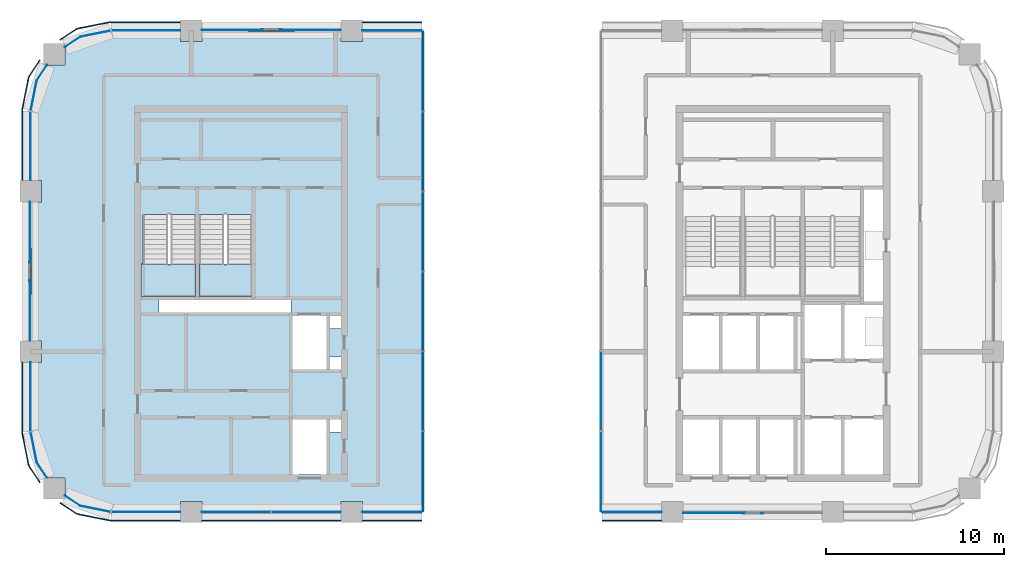
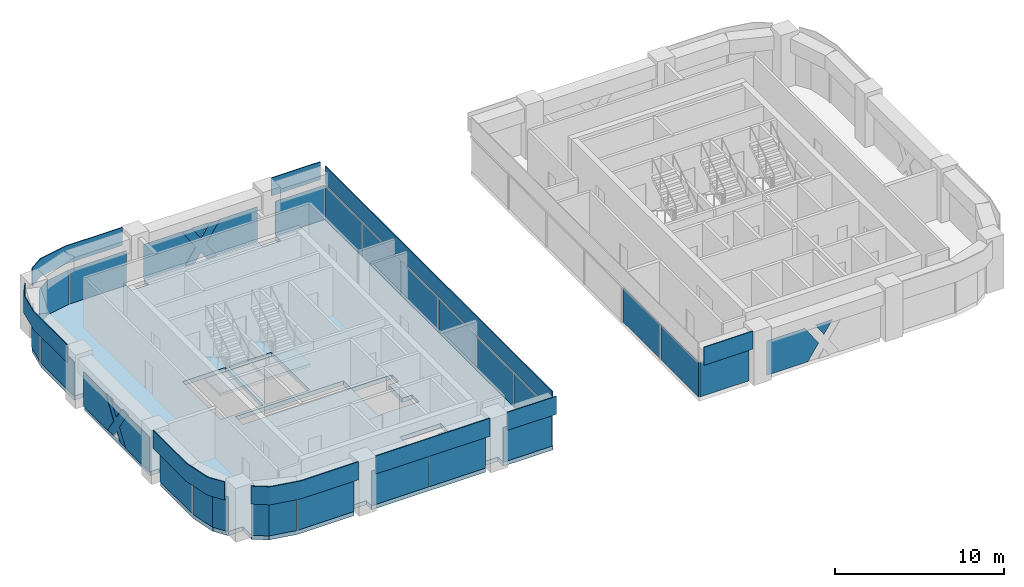
# One storey, part 4 of 16: 40 plates, 3 slabs, 15 elements without a shape of their own.
"""IFC4 building model written with IfcOpenShell, lengths in metres."""

import ifcopenshell
import ifcopenshell.guid

model = None  # the IFC model being written
_history = None  # IfcOwnerHistory: only IFC2X3 demands one
_inside = {}  # id of a spatial element -> (the spatial element, [elements in it])
_under = {}  # id of a project, library or spatial element -> (it, [spatial elements below it])
_declared = {}  # id of a project -> (the project, [libraries it declares])
_typed = {}  # id of a type object -> (the type object, [elements of that type])
_made_of = {}  # id of a material, layer set ... -> (it, [elements and type objects made of it])


def new_model(schema):
    """Start an empty IFC model of exactly this schema.

    Asked for "IFC4X3", IfcOpenShell would pick the latest addendum, in which some entities
    have other attributes; the version numbers below select the first issue.
    IFC2X3 requires an IfcOwnerHistory on every rooted entity: one is made here for all.
    """
    global model, _history
    if schema == "IFC4X3":
        model = ifcopenshell.file(schema_version=(4, 3, 0, 0))
    else:
        model = ifcopenshell.file(schema=schema)
    _inside.clear()
    _under.clear()
    _declared.clear()
    _typed.clear()
    _made_of.clear()
    _history = None
    if model.schema == "IFC2X3":
        org = make("IfcOrganization", Name="unknown")
        user = make(
            "IfcPersonAndOrganization",
            ThePerson=make("IfcPerson", FamilyName="unknown"),
            TheOrganization=org,
        )
        app = make(
            "IfcApplication",
            ApplicationDeveloper=org,
            Version="unknown",
            ApplicationFullName="unknown",
            ApplicationIdentifier="unknown",
        )
        _history = make(
            "IfcOwnerHistory",
            OwningUser=user,
            OwningApplication=app,
            ChangeAction="ADDED",
            CreationDate=0,
        )
    return model


def make(cls, **values):
    """One entity of the class cls with the attributes given. An attribute that is None is left unset."""
    return model.create_entity(
        cls, **{name: value for name, value in values.items() if value is not None}
    )


def rooted(cls, **values):
    """An entity with a GlobalId (a new one), such as an element, a storey or a relation."""
    return make(cls, GlobalId=ifcopenshell.guid.new(), OwnerHistory=_history, **values)


def si_unit(unit_type, name, prefix=None):
    """IfcSIUnit, for example si_unit("LENGTHUNIT", "METRE", prefix="MILLI")."""
    return make("IfcSIUnit", UnitType=unit_type, Prefix=prefix, Name=name)


def assignment(units):
    """IfcUnitAssignment: the units of a project."""
    return None if units is None else make("IfcUnitAssignment", Units=units)


def point(xyz):
    """IfcCartesianPoint."""
    return None if xyz is None else make("IfcCartesianPoint", Coordinates=xyz)


def direction(xyz):
    """IfcDirection."""
    return None if xyz is None else make("IfcDirection", DirectionRatios=xyz)


def frame(location, z_axis=None, x_axis=None):
    """IfcAxis2Placement3D, a coordinate frame: its origin and axes. An axis left out is left unset."""
    return make(
        "IfcAxis2Placement3D",
        Location=point(location),
        Axis=direction(z_axis),
        RefDirection=direction(x_axis),
    )


def frame_2d(location, x_axis=None):
    """IfcAxis2Placement2D, a coordinate frame in the plane: its origin and x axis."""
    return make(
        "IfcAxis2Placement2D", Location=point(location), RefDirection=direction(x_axis)
    )


def origin():
    """The frame at (0, 0, 0) with its axes left unset."""
    return frame((0.0, 0.0, 0.0))


def origin_2d():
    """The frame at (0, 0) in the plane with its x axis left unset."""
    return frame_2d((0.0, 0.0))


def place(relative_to, where):
    """IfcLocalPlacement: puts the frame where relative to a parent placement (None: the world)."""
    return make(
        "IfcLocalPlacement", PlacementRelTo=relative_to, RelativePlacement=where
    )


def context(
    kind, dimensions, precision=None, world=None, true_north=None, identifier=None
):
    """IfcGeometricRepresentationContext, for example the 3D "Model" context."""
    return make(
        "IfcGeometricRepresentationContext",
        ContextIdentifier=identifier,
        ContextType=kind,
        CoordinateSpaceDimension=dimensions,
        Precision=precision,
        WorldCoordinateSystem=world,
        TrueNorth=true_north,
    )


def subcontext(parent, identifier, kind, view, scale=None):
    """IfcGeometricRepresentationSubContext, for example "Body" below "Model"."""
    return make(
        "IfcGeometricRepresentationSubContext",
        ContextIdentifier=identifier,
        ContextType=kind,
        ParentContext=parent,
        TargetScale=scale,
        TargetView=view,
    )


def project(units=None, contexts=None):
    """IfcProject with its units and contexts."""
    return rooted(
        "IfcProject",
        Name="project",
        RepresentationContexts=contexts,
        UnitsInContext=assignment(units),
    )


def spatial(cls, under=None, at=None, **own):
    """A site, building, storey or space (cls), placed at a placement, below another one or the project."""
    s = rooted(cls, ObjectPlacement=at, **own)
    if under is not None:
        _under.setdefault(under.id(), (under, []))[1].append(s)
    return s


def polyline(points):
    """IfcPolyline through the points."""
    return make("IfcPolyline", Points=[point(p) for p in points])


def profile(cls, at=None, kind="AREA", **sizes):
    """A parametric profile (cls). Its sizes go by their IFC names, for example OverallWidth=200.0."""
    return make(cls, ProfileType=kind, Position=at, **sizes)


def rectangle(**sizes):
    """IfcRectangleProfileDef."""
    return profile("IfcRectangleProfileDef", **sizes)


def outline(outer, holes=None, kind="AREA"):
    """IfcArbitraryClosedProfileDef: a profile drawn as a closed curve; with holes, ...WithVoids."""
    if holes is None:
        return make("IfcArbitraryClosedProfileDef", ProfileType=kind, OuterCurve=outer)
    return make(
        "IfcArbitraryProfileDefWithVoids",
        ProfileType=kind,
        OuterCurve=outer,
        InnerCurves=holes,
    )


def extrude(swept, where, along, depth):
    """IfcExtrudedAreaSolid: the profile swept, set in the frame where, extruded along a direction by depth."""
    return make(
        "IfcExtrudedAreaSolid",
        SweptArea=swept,
        Position=where,
        ExtrudedDirection=direction(along),
        Depth=depth,
    )


def shape(context_of_items, identifier, shape_type, items):
    """IfcShapeRepresentation: the items that make up one representation, for example the "Body"."""
    return make(
        "IfcShapeRepresentation",
        ContextOfItems=context_of_items,
        RepresentationIdentifier=identifier,
        RepresentationType=shape_type,
        Items=items,
    )


def material(Name=None, Category=None):
    """IfcMaterial."""
    return make("IfcMaterial", Name=Name, Category=Category)


def layer(
    of_material, thickness, ventilated=None, Name=None, Category=None, Priority=None
):
    """IfcMaterialLayer: one layer of a wall or slab, of a material (None: an air gap)."""
    return make(
        "IfcMaterialLayer",
        Material=of_material,
        LayerThickness=thickness,
        IsVentilated=ventilated,
        Name=Name,
        Category=Category,
        Priority=Priority,
    )


def layer_set(layers, Name=None):
    """IfcMaterialLayerSet."""
    return make("IfcMaterialLayerSet", MaterialLayers=layers, LayerSetName=Name)


def made_of(thing, what):
    """Note that an element or type object is made of a material, layer set ...; save() writes the relation."""
    if what is not None:
        _made_of.setdefault(what.id(), (what, []))[1].append(thing)
    return thing


def type_object(cls, material=None, **own):
    """A type object (cls), such as IfcWallType, which elements share."""
    return made_of(rooted(cls, **own), material)


def element(
    cls,
    number,
    at=None,
    inside=None,
    cuts=None,
    type_object=None,
    material=None,
    context=None,
    identifier="Body",
    shape_type=None,
    held_by="IfcProductDefinitionShape",
    body=None,
    shapes=None,
    **own,
):
    """One element of the class cls, such as IfcWall. Its Tag is "e" and its number.

    at: its placement. inside: the storey or other place that contains it. cuts: it is an
    opening in that element (IfcRelVoidsElement). A single representation is given by context,
    identifier, shape_type and body (its items); several are given by shapes. held_by: the class
    of the entity that holds the representations. save() writes the other relations.
    """
    e = rooted(cls, Tag="e%d" % number, ObjectPlacement=at, **own)
    if body is not None:
        shapes = [shape(context, identifier, shape_type, body)]
    if shapes is not None:
        e.Representation = make(held_by, Representations=shapes)
    if inside is not None:
        _inside.setdefault(inside.id(), (inside, []))[1].append(e)
    if cuts is not None:
        rooted(
            "IfcRelVoidsElement", RelatingBuildingElement=cuts, RelatedOpeningElement=e
        )
    if type_object is not None:
        _typed.setdefault(type_object.id(), (type_object, []))[1].append(e)
    return made_of(e, material)


def aggregate(whole, parts):
    """IfcRelAggregates: a whole, such as a stair, and the parts it consists of."""
    return rooted("IfcRelAggregates", RelatingObject=whole, RelatedObjects=parts)


def save(model, path):
    """Write the relations noted so far, then the file.

    IfcRelAggregates (storeys below a building ...), IfcRelContainedInSpatialStructure (elements
    in a storey), IfcRelDefinesByType, IfcRelAssociatesMaterial and IfcRelDeclares: one each for
    every whole, place, type object, material and project.
    """
    for whole, parts in _under.values():
        aggregate(whole, parts)
    for where, things in _inside.values():
        rooted(
            "IfcRelContainedInSpatialStructure",
            RelatedElements=things,
            RelatingStructure=where,
        )
    for kind, things in _typed.values():
        rooted("IfcRelDefinesByType", RelatedObjects=things, RelatingType=kind)
    for what, things in _made_of.values():
        rooted("IfcRelAssociatesMaterial", RelatedObjects=things, RelatingMaterial=what)
    for by, libraries in _declared.values():
        rooted("IfcRelDeclares", RelatingContext=by, RelatedDefinitions=libraries)
    model.write(path)


model = new_model("IFC4")

# Units and contexts
model_context = context("Model", 3, precision=1e-05, world=origin(), true_north=direction((0.0, 1.0)))
body_context = subcontext(model_context, "Body", "Model", "MODEL_VIEW")
ifc_project = project(units=[si_unit("LENGTHUNIT", "METRE"), si_unit("AREAUNIT", "SQUARE_METRE"), si_unit("VOLUMEUNIT", "CUBIC_METRE"), si_unit("PLANEANGLEUNIT", "RADIAN"), si_unit("MASSUNIT", "GRAM", prefix="KILO")], contexts=[model_context])

# Site, building, storey
site_placement = place(None, origin())
site = spatial("IfcSite", under=ifc_project, at=site_placement, CompositionType="ELEMENT")
building_placement = place(site_placement, origin())
building = spatial("IfcBuilding", under=site, at=building_placement, Name="Tessera Arch", CompositionType="ELEMENT")
storey_placement = place(building_placement, frame((0.0, 0.0, 218.89990234375)))
storey = spatial("IfcBuildingStorey", under=building, at=storey_placement, Name="L52", CompositionType="ELEMENT", Elevation=218.89990234375)

# Curtain wall, plates
ifc_material_1 = material(Name="CW1 curtain wall")
curtain_wall_type_1 = type_object("IfcCurtainWallType", Name="CW1 curtain wall", PredefinedType="NOTDEFINED", material=ifc_material_1)
curtain_wall_1_placement = place(storey_placement, origin())
curtain_wall_1 = element("IfcCurtainWall", 1, at=curtain_wall_1_placement, inside=storey, type_object=curtain_wall_type_1, Name="CW1 curtain wall S27.0/0 L52", PredefinedType="NOTDEFINED")
ifc_material_2 = material(Name="Clear low-e glass", Category="glass")
ifc_material_3 = material(Name="Clear low-e glass", Category="glass")
ifc_layer_1 = layer(ifc_material_3, 0.028076171875)
ifc_layer_set_1 = layer_set([ifc_layer_1], Name="CW1 glass panel")
plate_type_1 = type_object("IfcPlateType", Name="CW1 glass panel", PredefinedType="CURTAIN_PANEL", material=ifc_layer_set_1)
plate_1_placement = place(storey_placement, frame((11.534912109375, 27.0, 0.0), z_axis=(0.0, 0.0, 1.0), x_axis=(1.0, 0.0, 0.0)))
plate_1 = element("IfcPlate", 2, at=plate_1_placement, type_object=plate_type_1, material=ifc_material_2, Name="CW1 glass panel S27.0/0 1.1.1", PredefinedType="CURTAIN_PANEL", context=body_context, shape_type="SweptSolid", body=[
    extrude(rectangle(XDim=3.8701171875, YDim=0.028076171875, at=origin_2d()), origin(), (0.0, 0.0, 1.0), 2.5),
])
plate_2_placement = place(storey_placement, frame((15.465087890625, 27.0, 0.0), z_axis=(0.0, 0.0, 1.0), x_axis=(1.0, 0.0, 0.0)))
plate_2 = element("IfcPlate", 3, at=plate_2_placement, type_object=plate_type_1, material=ifc_material_2, Name="CW1 glass panel S27.0/0 1.2.1", PredefinedType="CURTAIN_PANEL", context=body_context, shape_type="SweptSolid", body=[
    extrude(rectangle(XDim=3.8701171875, YDim=0.028076171875, at=origin_2d()), origin(), (0.0, 0.0, 1.0), 2.5),
])

# Curtain wall, plate
curtain_wall_2_placement = place(storey_placement, origin())
curtain_wall_2 = element("IfcCurtainWall", 4, at=curtain_wall_2_placement, inside=storey, type_object=curtain_wall_type_1, Name="CW1 curtain wall S27.0/1 L52", PredefinedType="NOTDEFINED")
plate_3_placement = place(storey_placement, frame((20.27490234375, 27.0, 0.0), z_axis=(0.0, 0.0, 1.0), x_axis=(1.0, 0.0, 0.0)))
plate_3 = element("IfcPlate", 5, at=plate_3_placement, type_object=plate_type_1, material=ifc_material_2, Name="CW1 glass panel S27.0/1 1.1.1", PredefinedType="CURTAIN_PANEL", context=body_context, shape_type="SweptSolid", body=[
    extrude(rectangle(XDim=3.35009765625, YDim=0.028076171875, at=origin_2d()), origin(), (0.0, 0.0, 1.0), 2.5),
])

curtain_wall_3_placement = place(storey_placement, origin())
curtain_wall_3 = element("IfcCurtainWall", 6, at=curtain_wall_3_placement, inside=storey, type_object=curtain_wall_type_1, Name="CW1 curtain wall N54.0/0 L52", PredefinedType="NOTDEFINED")
plate_4_placement = place(storey_placement, frame((20.27490234375, 54.0, 0.0), z_axis=(0.0, 0.0, 1.0), x_axis=(-1.0, 0.0, 0.0)))
plate_4 = element("IfcPlate", 7, at=plate_4_placement, type_object=plate_type_1, material=ifc_material_2, Name="CW1 glass panel N54.0/0 1.1.1", PredefinedType="CURTAIN_PANEL", context=body_context, shape_type="SweptSolid", body=[
    extrude(rectangle(XDim=3.35009765625, YDim=0.028076171875, at=origin_2d()), origin(), (0.0, 0.0, 1.0), 2.5),
])

curtain_wall_4_placement = place(storey_placement, origin())
curtain_wall_4 = element("IfcCurtainWall", 8, at=curtain_wall_4_placement, inside=storey, type_object=curtain_wall_type_1, Name="CW1 curtain wall S27.32/0 L52", PredefinedType="NOTDEFINED")
plate_5_placement = place(storey_placement, frame((33.72509765625, 27.0, 0.0), z_axis=(0.0, 0.0, 1.0), x_axis=(1.0, 0.0, 0.0)))
plate_5 = element("IfcPlate", 9, at=plate_5_placement, type_object=plate_type_1, material=ifc_material_2, Name="CW1 glass panel S27.32/0 1.1.1", PredefinedType="CURTAIN_PANEL", context=body_context, shape_type="SweptSolid", body=[
    extrude(rectangle(XDim=3.35009765625, YDim=0.028076171875, at=origin_2d()), origin(), (0.0, 0.0, 1.0), 2.5),
])

# Plate
ifc_material_4 = material(Name="Pale anodised aluminium panel", Category="aluminium")
ifc_layer_2 = layer(ifc_material_4, 0.06005859375)
ifc_layer_set_2 = layer_set([ifc_layer_2], Name="CW1 spandrel panel")
plate_type_2 = type_object("IfcPlateType", Name="CW1 spandrel panel", PredefinedType="CURTAIN_PANEL", material=ifc_layer_set_2)
plate_6_placement = place(storey_placement, frame((13.5, 26.52001953125, 2.60009765625), z_axis=(0.0, 0.0, 1.0), x_axis=(1.0, 0.0, 0.0)))
plate_6 = element("IfcPlate", 10, at=plate_6_placement, type_object=plate_type_2, Name="CW1 spandrel panel S27.0/0", PredefinedType="CURTAIN_PANEL", context=body_context, shape_type="SweptSolid", body=[
    extrude(rectangle(XDim=7.800048828125, YDim=0.06005859375, at=origin_2d()), origin(), (0.0, 0.0, 1.0), 1.300048828125),
])

aggregate(curtain_wall_1, [plate_1, plate_2, plate_6])

plate_7_placement = place(storey_placement, frame((20.27490234375, 26.52001953125, 2.60009765625), z_axis=(0.0, 0.0, 1.0), x_axis=(1.0, 0.0, 0.0)))
plate_7 = element("IfcPlate", 11, at=plate_7_placement, type_object=plate_type_2, Name="CW1 spandrel panel S27.0/1", PredefinedType="CURTAIN_PANEL", context=body_context, shape_type="SweptSolid", body=[
    extrude(rectangle(XDim=3.35009765625, YDim=0.06005859375, at=origin_2d()), origin(), (0.0, 0.0, 1.0), 1.300048828125),
])

aggregate(curtain_wall_2, [plate_3, plate_7])

plate_8_placement = place(storey_placement, frame((20.27490234375, 54.47998046875, 2.60009765625), z_axis=(0.0, 0.0, 1.0), x_axis=(-1.0, 0.0, 0.0)))
plate_8 = element("IfcPlate", 12, at=plate_8_placement, type_object=plate_type_2, Name="CW1 spandrel panel N54.0/0", PredefinedType="CURTAIN_PANEL", context=body_context, shape_type="SweptSolid", body=[
    extrude(rectangle(XDim=3.35009765625, YDim=0.06005859375, at=origin_2d()), origin(), (0.0, 0.0, 1.0), 1.300048828125),
])

aggregate(curtain_wall_3, [plate_4, plate_8])

plate_9_placement = place(storey_placement, frame((33.72509765625, 26.52001953125, 2.60009765625), z_axis=(0.0, 0.0, 1.0), x_axis=(1.0, 0.0, 0.0)))
plate_9 = element("IfcPlate", 13, at=plate_9_placement, type_object=plate_type_2, Name="CW1 spandrel panel S27.32/0", PredefinedType="CURTAIN_PANEL", context=body_context, shape_type="SweptSolid", body=[
    extrude(rectangle(XDim=3.35009765625, YDim=0.06005859375, at=origin_2d()), origin(), (0.0, 0.0, 1.0), 1.300048828125),
])

aggregate(curtain_wall_4, [plate_5, plate_9])

# Curtain wall, plates
ifc_material_5 = material(Name="CW2 curtain wall")
curtain_wall_type_2 = type_object("IfcCurtainWallType", Name="CW2 curtain wall", PredefinedType="NOTDEFINED", material=ifc_material_5)
curtain_wall_5_placement = place(storey_placement, origin())
curtain_wall_5 = element("IfcCurtainWall", 14, at=curtain_wall_5_placement, inside=storey, type_object=curtain_wall_type_2, Name="CW2 curtain wall N54.0/2 L52", PredefinedType="NOTDEFINED")
ifc_material_6 = material(Name="Clear low-e glass", Category="glass")
ifc_layer_3 = layer(ifc_material_6, 0.028076171875)
ifc_layer_set_3 = layer_set([ifc_layer_3], Name="CW2 glass panel")
plate_type_3 = type_object("IfcPlateType", Name="CW2 glass panel", PredefinedType="CURTAIN_PANEL", material=ifc_layer_set_3)
plate_10_placement = place(storey_placement, frame((6.469970703125, 54.0, 0.0), z_axis=(0.0, 0.0, 1.0), x_axis=(-1.0, 0.0, 0.0)))
plate_10 = element("IfcPlate", 15, at=plate_10_placement, type_object=plate_type_3, material=ifc_material_2, Name="CW2 glass panel N54.0/2 1.1", PredefinedType="CURTAIN_PANEL", context=body_context, shape_type="SweptSolid", body=[
    extrude(rectangle(XDim=3.860107421875, YDim=0.028076171875, at=origin_2d()), origin(), (0.0, 0.0, 1.0), 2.5),
])
plate_11_placement = place(storey_placement, origin())
plate_11 = element("IfcPlate", 16, at=plate_11_placement, type_object=plate_type_3, material=ifc_material_2, Name="CW2 curved glass panel N54.0/2 2.1", PredefinedType="CURTAIN_PANEL", context=body_context, shape_type="SweptSolid", body=[
    extrude(outline(polyline([(2.783447265625, 53.644287109375), (4.46337890625, 53.978515625), (4.4580078125, 54.005859375), (2.7724609375, 53.670654296875), (1.91015625, 53.094482421875), (1.92578125, 53.0712890625), (2.783447265625, 53.644287109375)])), origin(), (0.0, 0.0, 1.0), 2.5),
])

curtain_wall_6_placement = place(storey_placement, origin())
curtain_wall_6 = element("IfcCurtainWall", 17, at=curtain_wall_6_placement, inside=storey, type_object=curtain_wall_type_2, Name="CW2 curtain wall W0.27/0 L52", PredefinedType="NOTDEFINED")
plate_12_placement = place(storey_placement, frame((0.0, 47.530029296875, 0.0), z_axis=(0.0, 0.0, 1.0), x_axis=(0.0, -1.0, 0.0)))
plate_12 = element("IfcPlate", 18, at=plate_12_placement, type_object=plate_type_3, material=ifc_material_2, Name="CW2 glass panel W0.27/0 1.1", PredefinedType="CURTAIN_PANEL", context=body_context, shape_type="SweptSolid", body=[
    extrude(rectangle(XDim=3.860107421875, YDim=0.028076171875, at=origin_2d()), origin(), (0.0, 0.0, 1.0), 2.5),
])
plate_13_placement = place(storey_placement, origin())
plate_13 = element("IfcPlate", 19, at=plate_13_placement, type_object=plate_type_3, material=ifc_material_2, Name="CW2 curved glass panel W0.27/0 2.1", PredefinedType="CURTAIN_PANEL", context=body_context, shape_type="SweptSolid", body=[
    extrude(outline(polyline([(0.355712890625, 51.216552734375), (0.9287109375, 52.07421875), (0.905517578125, 52.08984375), (0.329345703125, 51.2275390625), (-0.005859375, 49.5419921875), (0.021484375, 49.53662109375), (0.355712890625, 51.216552734375)])), origin(), (0.0, 0.0, 1.0), 2.5),
])

curtain_wall_7_placement = place(storey_placement, origin())
curtain_wall_7 = element("IfcCurtainWall", 20, at=curtain_wall_7_placement, inside=storey, type_object=curtain_wall_type_2, Name="CW2 curtain wall W0.27/2 L52", PredefinedType="NOTDEFINED")
plate_14_placement = place(storey_placement, frame((0.0, 33.469970703125, 0.0), z_axis=(0.0, 0.0, 1.0), x_axis=(0.0, -1.0, 0.0)))
plate_14 = element("IfcPlate", 21, at=plate_14_placement, type_object=plate_type_3, material=ifc_material_2, Name="CW2 glass panel W0.27/2 1.1", PredefinedType="CURTAIN_PANEL", context=body_context, shape_type="SweptSolid", body=[
    extrude(rectangle(XDim=3.860107421875, YDim=0.028076171875, at=origin_2d()), origin(), (0.0, 0.0, 1.0), 2.5),
])
plate_15_placement = place(storey_placement, origin())
plate_15 = element("IfcPlate", 22, at=plate_15_placement, type_object=plate_type_3, material=ifc_material_2, Name="CW2 curved glass panel W0.27/2 2.1", PredefinedType="CURTAIN_PANEL", context=body_context, shape_type="SweptSolid", body=[
    extrude(outline(polyline([(0.355712890625, 29.783447265625), (0.021484375, 31.46337890625), (-0.005859375, 31.4580078125), (0.329345703125, 29.7724609375), (0.905517578125, 28.91015625), (0.9287109375, 28.92578125), (0.355712890625, 29.783447265625)])), origin(), (0.0, 0.0, 1.0), 2.5),
])

curtain_wall_8_placement = place(storey_placement, origin())
curtain_wall_8 = element("IfcCurtainWall", 23, at=curtain_wall_8_placement, inside=storey, type_object=curtain_wall_type_2, Name="CW2 curtain wall S27.0/2 L52", PredefinedType="NOTDEFINED")
plate_16_placement = place(storey_placement, frame((6.469970703125, 27.0, 0.0), z_axis=(0.0, 0.0, 1.0), x_axis=(1.0, 0.0, 0.0)))
plate_16 = element("IfcPlate", 24, at=plate_16_placement, type_object=plate_type_3, material=ifc_material_2, Name="CW2 glass panel S27.0/2 1.1", PredefinedType="CURTAIN_PANEL", context=body_context, shape_type="SweptSolid", body=[
    extrude(rectangle(XDim=3.860107421875, YDim=0.028076171875, at=origin_2d()), origin(), (0.0, 0.0, 1.0), 2.5),
])
plate_17_placement = place(storey_placement, origin())
plate_17 = element("IfcPlate", 25, at=plate_17_placement, type_object=plate_type_3, material=ifc_material_2, Name="CW2 curved glass panel S27.0/2 2.1", PredefinedType="CURTAIN_PANEL", context=body_context, shape_type="SweptSolid", body=[
    extrude(outline(polyline([(2.783447265625, 27.355712890625), (1.92578125, 27.9287109375), (1.91015625, 27.905517578125), (2.7724609375, 27.329345703125), (4.4580078125, 26.994140625), (4.46337890625, 27.021484375), (2.783447265625, 27.355712890625)])), origin(), (0.0, 0.0, 1.0), 2.5),
])

# Plate
ifc_material_7 = material(Name="Pale anodised aluminium panel", Category="aluminium")
ifc_layer_4 = layer(ifc_material_7, 0.06005859375)
ifc_layer_set_4 = layer_set([ifc_layer_4], Name="CW2 spandrel panel")
plate_type_4 = type_object("IfcPlateType", Name="CW2 spandrel panel", PredefinedType="CURTAIN_PANEL", material=ifc_layer_set_4)
plate_18_placement = place(storey_placement, frame((0.0, 0.0, 2.60009765625)))
plate_18 = element("IfcPlate", 26, at=plate_18_placement, type_object=plate_type_4, Name="CW2 spandrel panel N54.0/2", PredefinedType="CURTAIN_PANEL", context=body_context, shape_type="SweptSolid", body=[
    extrude(outline(polyline([(4.500732421875, 54.449951171875), (8.39990234375, 54.449951171875), (8.39990234375, 54.510009765625), (4.499267578125, 54.510009765625), (4.449951171875, 54.507568359375), (4.401123046875, 54.500244140625), (2.677734375, 54.157470703125), (2.6298828125, 54.1455078125), (2.582763671875, 54.128662109375), (2.537353515625, 54.107421875), (2.4951171875, 54.08203125), (1.634765625, 53.5068359375), (1.66796875, 53.45703125), (2.52734375, 54.03125), (2.565673828125, 54.054443359375), (2.605712890625, 54.0732421875), (2.647216796875, 54.088134765625), (2.69091796875, 54.09912109375), (4.411376953125, 54.441162109375), (4.455810546875, 54.44775390625), (4.500732421875, 54.449951171875)])), origin(), (0.0, 0.0, 1.0), 1.300048828125),
])

aggregate(curtain_wall_5, [plate_10, plate_11, plate_18])

plate_19_placement = place(storey_placement, frame((0.0, 0.0, 2.60009765625)))
plate_19 = element("IfcPlate", 27, at=plate_19_placement, type_object=plate_type_4, Name="CW2 spandrel panel W0.27/0", PredefinedType="CURTAIN_PANEL", context=body_context, shape_type="SweptSolid", body=[
    extrude(outline(polyline([(-0.03125, 51.47265625), (0.54296875, 52.33203125), (0.4931640625, 52.365234375), (-0.08203125, 51.5048828125), (-0.107421875, 51.462646484375), (-0.128662109375, 51.417236328125), (-0.1455078125, 51.3701171875), (-0.157470703125, 51.322265625), (-0.500244140625, 49.598876953125), (-0.507568359375, 49.550048828125), (-0.510009765625, 49.500732421875), (-0.510009765625, 45.60009765625), (-0.449951171875, 45.60009765625), (-0.449951171875, 49.499267578125), (-0.44775390625, 49.544189453125), (-0.441162109375, 49.588623046875), (-0.09912109375, 51.30908203125), (-0.088134765625, 51.352783203125), (-0.0732421875, 51.394287109375), (-0.054443359375, 51.434326171875), (-0.03125, 51.47265625)])), origin(), (0.0, 0.0, 1.0), 1.300048828125),
])

aggregate(curtain_wall_6, [plate_12, plate_13, plate_19])

plate_20_placement = place(storey_placement, frame((0.0, 0.0, 2.60009765625)))
plate_20 = element("IfcPlate", 28, at=plate_20_placement, type_object=plate_type_4, Name="CW2 spandrel panel W0.27/2", PredefinedType="CURTAIN_PANEL", context=body_context, shape_type="SweptSolid", body=[
    extrude(outline(polyline([(-0.449951171875, 31.500732421875), (-0.449951171875, 35.39990234375), (-0.510009765625, 35.39990234375), (-0.510009765625, 31.499267578125), (-0.507568359375, 31.449951171875), (-0.500244140625, 31.401123046875), (-0.157470703125, 29.677734375), (-0.1455078125, 29.6298828125), (-0.128662109375, 29.582763671875), (-0.107421875, 29.537353515625), (-0.08203125, 29.4951171875), (0.4931640625, 28.634765625), (0.54296875, 28.66796875), (-0.03125, 29.52734375), (-0.054443359375, 29.565673828125), (-0.0732421875, 29.605712890625), (-0.088134765625, 29.647216796875), (-0.09912109375, 29.69091796875), (-0.441162109375, 31.411376953125), (-0.44775390625, 31.455810546875), (-0.449951171875, 31.500732421875)])), origin(), (0.0, 0.0, 1.0), 1.300048828125),
])

aggregate(curtain_wall_7, [plate_14, plate_15, plate_20])

plate_21_placement = place(storey_placement, frame((0.0, 0.0, 2.60009765625)))
plate_21 = element("IfcPlate", 29, at=plate_21_placement, type_object=plate_type_4, Name="CW2 spandrel panel S27.0/2", PredefinedType="CURTAIN_PANEL", context=body_context, shape_type="SweptSolid", body=[
    extrude(outline(polyline([(2.52734375, 26.96875), (1.66796875, 27.54296875), (1.634765625, 27.4931640625), (2.4951171875, 26.91796875), (2.537353515625, 26.892578125), (2.582763671875, 26.871337890625), (2.6298828125, 26.8544921875), (2.677734375, 26.842529296875), (4.401123046875, 26.499755859375), (4.449951171875, 26.492431640625), (4.499267578125, 26.489990234375), (8.39990234375, 26.489990234375), (8.39990234375, 26.550048828125), (4.500732421875, 26.550048828125), (4.455810546875, 26.55224609375), (4.411376953125, 26.558837890625), (2.69091796875, 26.90087890625), (2.647216796875, 26.911865234375), (2.605712890625, 26.9267578125), (2.565673828125, 26.945556640625), (2.52734375, 26.96875)])), origin(), (0.0, 0.0, 1.0), 1.300048828125),
])

aggregate(curtain_wall_8, [plate_16, plate_17, plate_21])

# Curtain wall, plate
ifc_material_8 = material(Name="CW3 curtain wall")
curtain_wall_type_3 = type_object("IfcCurtainWallType", Name="CW3 curtain wall", PredefinedType="NOTDEFINED", material=ifc_material_8)
curtain_wall_9_placement = place(storey_placement, origin())
curtain_wall_9 = element("IfcCurtainWall", 30, at=curtain_wall_9_placement, inside=storey, type_object=curtain_wall_type_3, Name="CW3 curtain wall N54.0/1 L52", PredefinedType="NOTDEFINED")
ifc_material_9 = material(Name="Pale anodised aluminium panel", Category="aluminium")
ifc_layer_5 = layer(ifc_material_9, 0.06005859375)
ifc_layer_set_5 = layer_set([ifc_layer_5], Name="CW3 diagonal panel")
plate_type_5 = type_object("IfcPlateType", Name="CW3 diagonal panel", PredefinedType="CURTAIN_PANEL", material=ifc_layer_set_5)
plate_22_placement = place(storey_placement, frame((12.2109375, 54.030029296875, 2.5), z_axis=(0.0, 1.0, 0.0), x_axis=(1.0, 0.0, 0.0)))
plate_22 = element("IfcPlate", 31, at=plate_22_placement, type_object=plate_type_5, Name="CW3 diagonal panel N54.0/1 1", PredefinedType="CURTAIN_PANEL", context=body_context, shape_type="SweptSolid", body=[
    extrude(outline(polyline([(0.0, 0.0), (0.6953125, 0.0), (1.2890625, 0.8828125), (1.8828125, 0.0), (2.578125, 0.0), (1.63671875, 1.39990234375), (2.37646484375, 2.5), (1.680908203125, 2.5), (1.2890625, 1.9169921875), (0.897216796875, 2.5), (0.20166015625, 2.5), (0.94140625, 1.39990234375), (0.0, 0.0)])), origin(), (0.0, 0.0, -1.0), 0.06005859375),
])

curtain_wall_10_placement = place(storey_placement, origin())
curtain_wall_10 = element("IfcCurtainWall", 32, at=curtain_wall_10_placement, inside=storey, type_object=curtain_wall_type_3, Name="CW3 curtain wall W0.27/1 L52", PredefinedType="NOTDEFINED")
plate_23_placement = place(storey_placement, frame((-0.030029296875, 39.2109375, 2.5), z_axis=(-1.0, 0.0, 0.0), x_axis=(0.0, 1.0, 0.0)))
plate_23 = element("IfcPlate", 33, at=plate_23_placement, type_object=plate_type_5, Name="CW3 diagonal panel W0.27/1 1", PredefinedType="CURTAIN_PANEL", context=body_context, shape_type="SweptSolid", body=[
    extrude(outline(polyline([(0.0, 0.0), (0.6953125, 0.0), (1.2890625, 0.8828125), (1.8828125, 0.0), (2.578125, 0.0), (1.63671875, 1.39990234375), (2.37646484375, 2.5), (1.680908203125, 2.5), (1.2890625, 1.9169921875), (0.897216796875, 2.5), (0.20166015625, 2.5), (0.94140625, 1.39990234375), (0.0, 0.0)])), origin(), (0.0, 0.0, -1.0), 0.06005859375),
])

# Plate
ifc_material_10 = material(Name="Clear low-e glass", Category="glass")
ifc_layer_6 = layer(ifc_material_10, 0.028076171875)
ifc_layer_set_6 = layer_set([ifc_layer_6], Name="CW3 glass panel")
plate_type_6 = type_object("IfcPlateType", Name="CW3 glass panel", PredefinedType="CURTAIN_PANEL", material=ifc_layer_set_6)
plate_24_placement = place(storey_placement, frame((17.39990234375, 54.05810546875, 0.0), z_axis=(0.0, 1.0, 0.0), x_axis=(-1.0, 0.0, 0.0)))
plate_24 = element("IfcPlate", 34, at=plate_24_placement, type_object=plate_type_6, material=ifc_material_2, Name="CW3 triangulated glass panel N54.0/1 1", PredefinedType="CURTAIN_PANEL", context=body_context, shape_type="SweptSolid", body=[
    extrude(outline(polyline([(0.0, 0.0), (2.8125, 0.0), (3.55224609375, 1.10009765625), (2.61083984375, 2.5), (0.0, 2.5), (0.0, 0.0)])), origin(), (0.0, 0.0, -1.0), 0.028076171875),
])

plate_25_placement = place(storey_placement, frame((12.90625, 54.0859375, 2.5), z_axis=(0.0, 1.0, 0.0), x_axis=(1.0, 0.0, 0.0)))
plate_25 = element("IfcPlate", 35, at=plate_25_placement, type_object=plate_type_6, material=ifc_material_2, Name="CW3 triangulated glass panel N54.0/1 3", PredefinedType="CURTAIN_PANEL", context=body_context, shape_type="SweptSolid", body=[
    extrude(outline(polyline([(0.0, 0.0), (1.1875, 0.0), (0.59375, 0.8828125), (0.0, 0.0)])), origin(), (0.0, 0.0, -1.0), 0.028076171875),
])

plate_26_placement = place(storey_placement, frame((9.60009765625, 54.05810546875, 2.5), z_axis=(0.0, 1.0, 0.0), x_axis=(1.0, 0.0, 0.0)))
plate_26 = element("IfcPlate", 36, at=plate_26_placement, type_object=plate_type_6, material=ifc_material_2, Name="CW3 triangulated glass panel N54.0/1 4", PredefinedType="CURTAIN_PANEL", context=body_context, shape_type="SweptSolid", body=[
    extrude(outline(polyline([(0.0, 0.0), (2.61083984375, 0.0), (3.55224609375, 1.39990234375), (2.8125, 2.5), (0.0, 2.5), (0.0, 0.0)])), origin(), (0.0, 0.0, -1.0), 0.028076171875),
])

aggregate(curtain_wall_9, [plate_24, plate_25, plate_26, plate_22])

plate_27_placement = place(storey_placement, frame((-0.05810546875, 44.39990234375, 0.0), z_axis=(-1.0, 0.0, 0.0), x_axis=(0.0, -1.0, 0.0)))
plate_27 = element("IfcPlate", 37, at=plate_27_placement, type_object=plate_type_6, material=ifc_material_2, Name="CW3 triangulated glass panel W0.27/1 1", PredefinedType="CURTAIN_PANEL", context=body_context, shape_type="SweptSolid", body=[
    extrude(outline(polyline([(0.0, 0.0), (2.8125, 0.0), (3.55224609375, 1.10009765625), (2.61083984375, 2.5), (0.0, 2.5), (0.0, 0.0)])), origin(), (0.0, 0.0, -1.0), 0.028076171875),
])

plate_28_placement = place(storey_placement, frame((-0.0859375, 39.90625, 2.5), z_axis=(-1.0, 0.0, 0.0), x_axis=(0.0, 1.0, 0.0)))
plate_28 = element("IfcPlate", 38, at=plate_28_placement, type_object=plate_type_6, material=ifc_material_2, Name="CW3 triangulated glass panel W0.27/1 3", PredefinedType="CURTAIN_PANEL", context=body_context, shape_type="SweptSolid", body=[
    extrude(outline(polyline([(0.0, 0.0), (1.1875, 0.0), (0.59375, 0.8828125), (0.0, 0.0)])), origin(), (0.0, 0.0, -1.0), 0.028076171875),
])

plate_29_placement = place(storey_placement, frame((-0.05810546875, 36.60009765625, 2.5), z_axis=(-1.0, 0.0, 0.0), x_axis=(0.0, 1.0, 0.0)))
plate_29 = element("IfcPlate", 39, at=plate_29_placement, type_object=plate_type_6, material=ifc_material_2, Name="CW3 triangulated glass panel W0.27/1 4", PredefinedType="CURTAIN_PANEL", context=body_context, shape_type="SweptSolid", body=[
    extrude(outline(polyline([(0.0, 0.0), (2.61083984375, 0.0), (3.55224609375, 1.39990234375), (2.8125, 2.5), (0.0, 2.5), (0.0, 0.0)])), origin(), (0.0, 0.0, -1.0), 0.028076171875),
])

aggregate(curtain_wall_10, [plate_27, plate_28, plate_29, plate_23])

# Curtain wall, plates
curtain_wall_11_placement = place(storey_placement, origin())
curtain_wall_11 = element("IfcCurtainWall", 40, at=curtain_wall_11_placement, inside=storey, type_object=curtain_wall_type_3, Name="CW3 curtain wall S27.32/1 L52", PredefinedType="NOTDEFINED")
plate_30_placement = place(storey_placement, frame((36.60009765625, 26.94189453125, 0.0), z_axis=(0.0, -1.0, 0.0), x_axis=(1.0, 0.0, 0.0)))
plate_30 = element("IfcPlate", 41, at=plate_30_placement, type_object=plate_type_6, material=ifc_material_2, Name="CW3 triangulated glass panel S27.32/1 1", PredefinedType="CURTAIN_PANEL", context=body_context, shape_type="SweptSolid", body=[
    extrude(outline(polyline([(0.0, 0.0), (2.8125, 0.0), (3.55224609375, 1.10009765625), (2.61083984375, 2.5), (0.0, 2.5), (0.0, 0.0)])), origin(), (0.0, 0.0, -1.0), 0.028076171875),
])
plate_31_placement = place(storey_placement, frame((41.09375, 26.9140625, 2.5), z_axis=(0.0, -1.0, 0.0), x_axis=(-1.0, 0.0, 0.0)))
plate_31 = element("IfcPlate", 42, at=plate_31_placement, type_object=plate_type_6, material=ifc_material_2, Name="CW3 triangulated glass panel S27.32/1 3", PredefinedType="CURTAIN_PANEL", context=body_context, shape_type="SweptSolid", body=[
    extrude(outline(polyline([(0.0, 0.0), (1.1875, 0.0), (0.59375, 0.8828125), (0.0, 0.0)])), origin(), (0.0, 0.0, -1.0), 0.028076171875),
])
aggregate(curtain_wall_11, [plate_30, plate_31])

ifc_material_11 = material(Name="CW5 curtain wall")
curtain_wall_type_4 = type_object("IfcCurtainWallType", Name="CW5 curtain wall", PredefinedType="NOTDEFINED", material=ifc_material_11)
curtain_wall_12_placement = place(storey_placement, origin())
curtain_wall_12 = element("IfcCurtainWall", 43, at=curtain_wall_12_placement, inside=storey, type_object=curtain_wall_type_4, Name="CW5 curtain wall E22.27/0 L52", PredefinedType="NOTDEFINED")
ifc_material_12 = material(Name="Clear low-e glass", Category="glass")
ifc_layer_7 = layer(ifc_material_12, 0.028076171875)
ifc_layer_set_7 = layer_set([ifc_layer_7], Name="CW5 glass panel")
plate_type_7 = type_object("IfcPlateType", Name="CW5 glass panel", PredefinedType="CURTAIN_PANEL", material=ifc_layer_set_7)
plate_32_placement = place(storey_placement, frame((22.0, 29.271728515625, 0.0), z_axis=(0.0, 0.0, 1.0), x_axis=(0.0, 1.0, 0.0)))
plate_32 = element("IfcPlate", 44, at=plate_32_placement, type_object=plate_type_7, material=ifc_material_2, Name="CW5 glass panel E22.27/0 1.1.1", PredefinedType="CURTAIN_PANEL", context=body_context, shape_type="SweptSolid", body=[
    extrude(rectangle(XDim=4.443359375, YDim=0.028076171875, at=origin_2d()), origin(), (0.0, 0.0, 1.0), 2.5),
])
plate_33_placement = place(storey_placement, frame((22.0, 33.77490234375, 0.0), z_axis=(0.0, 0.0, 1.0), x_axis=(0.0, 1.0, 0.0)))
plate_33 = element("IfcPlate", 45, at=plate_33_placement, type_object=plate_type_7, material=ifc_material_2, Name="CW5 glass panel E22.27/0 1.2.1", PredefinedType="CURTAIN_PANEL", context=body_context, shape_type="SweptSolid", body=[
    extrude(rectangle(XDim=4.4033203125, YDim=0.028076171875, at=origin_2d()), origin(), (0.0, 0.0, 1.0), 2.5),
])
plate_34_placement = place(storey_placement, frame((22.0, 38.25830078125, 0.0), z_axis=(0.0, 0.0, 1.0), x_axis=(0.0, 1.0, 0.0)))
plate_34 = element("IfcPlate", 46, at=plate_34_placement, type_object=plate_type_7, material=ifc_material_2, Name="CW5 glass panel E22.27/0 1.3.1", PredefinedType="CURTAIN_PANEL", context=body_context, shape_type="SweptSolid", body=[
    extrude(rectangle(XDim=4.4033203125, YDim=0.028076171875, at=origin_2d()), origin(), (0.0, 0.0, 1.0), 2.5),
])
plate_35_placement = place(storey_placement, frame((22.0, 42.74169921875, 0.0), z_axis=(0.0, 0.0, 1.0), x_axis=(0.0, 1.0, 0.0)))
plate_35 = element("IfcPlate", 47, at=plate_35_placement, type_object=plate_type_7, material=ifc_material_2, Name="CW5 glass panel E22.27/0 1.4.1", PredefinedType="CURTAIN_PANEL", context=body_context, shape_type="SweptSolid", body=[
    extrude(rectangle(XDim=4.4033203125, YDim=0.028076171875, at=origin_2d()), origin(), (0.0, 0.0, 1.0), 2.5),
])
plate_36_placement = place(storey_placement, frame((22.0, 47.22509765625, 0.0), z_axis=(0.0, 0.0, 1.0), x_axis=(0.0, 1.0, 0.0)))
plate_36 = element("IfcPlate", 48, at=plate_36_placement, type_object=plate_type_7, material=ifc_material_2, Name="CW5 glass panel E22.27/0 1.5.1", PredefinedType="CURTAIN_PANEL", context=body_context, shape_type="SweptSolid", body=[
    extrude(rectangle(XDim=4.4033203125, YDim=0.028076171875, at=origin_2d()), origin(), (0.0, 0.0, 1.0), 2.5),
])
plate_37_placement = place(storey_placement, frame((22.0, 51.728271484375, 0.0), z_axis=(0.0, 0.0, 1.0), x_axis=(0.0, 1.0, 0.0)))
plate_37 = element("IfcPlate", 49, at=plate_37_placement, type_object=plate_type_7, material=ifc_material_2, Name="CW5 glass panel E22.27/0 1.6.1", PredefinedType="CURTAIN_PANEL", context=body_context, shape_type="SweptSolid", body=[
    extrude(rectangle(XDim=4.443359375, YDim=0.028076171875, at=origin_2d()), origin(), (0.0, 0.0, 1.0), 2.5),
])

curtain_wall_13_placement = place(storey_placement, origin())
curtain_wall_13 = element("IfcCurtainWall", 50, at=curtain_wall_13_placement, inside=storey, type_object=curtain_wall_type_4, Name="CW5 curtain wall W32.27/0 L52", PredefinedType="NOTDEFINED")
plate_38_placement = place(storey_placement, frame((32.0, 33.77490234375, 0.0), z_axis=(0.0, 0.0, 1.0), x_axis=(0.0, -1.0, 0.0)))
plate_38 = element("IfcPlate", 51, at=plate_38_placement, type_object=plate_type_7, material=ifc_material_2, Name="CW5 glass panel W32.27/0 1.5.1", PredefinedType="CURTAIN_PANEL", context=body_context, shape_type="SweptSolid", body=[
    extrude(rectangle(XDim=4.4033203125, YDim=0.028076171875, at=origin_2d()), origin(), (0.0, 0.0, 1.0), 2.5),
])
plate_39_placement = place(storey_placement, frame((32.0, 29.271728515625, 0.0), z_axis=(0.0, 0.0, 1.0), x_axis=(0.0, -1.0, 0.0)))
plate_39 = element("IfcPlate", 52, at=plate_39_placement, type_object=plate_type_7, material=ifc_material_2, Name="CW5 glass panel W32.27/0 1.6.1", PredefinedType="CURTAIN_PANEL", context=body_context, shape_type="SweptSolid", body=[
    extrude(rectangle(XDim=4.443359375, YDim=0.028076171875, at=origin_2d()), origin(), (0.0, 0.0, 1.0), 2.5),
])
aggregate(curtain_wall_13, [plate_38, plate_39])

# Plate
ifc_material_13 = material(Name="Pale anodised aluminium panel", Category="aluminium")
ifc_layer_8 = layer(ifc_material_13, 0.06005859375)
ifc_layer_set_8 = layer_set([ifc_layer_8], Name="CW5 spandrel panel")
plate_type_8 = type_object("IfcPlateType", Name="CW5 spandrel panel", PredefinedType="CURTAIN_PANEL", material=ifc_layer_set_8)
plate_40_placement = place(storey_placement, frame((22.0, 40.5, 2.60009765625), z_axis=(0.0, 0.0, 1.0), x_axis=(0.0, 1.0, 0.0)))
plate_40 = element("IfcPlate", 53, at=plate_40_placement, type_object=plate_type_8, Name="CW5 spandrel panel E22.27/0", PredefinedType="CURTAIN_PANEL", context=body_context, shape_type="SweptSolid", body=[
    extrude(rectangle(XDim=26.89990234375, YDim=0.06005859375, at=origin_2d()), origin(), (0.0, 0.0, 1.0), 1.300048828125),
])

aggregate(curtain_wall_12, [plate_32, plate_33, plate_34, plate_35, plate_36, plate_37, plate_40])

# Slab
ifc_material_14 = material(Name="Concrete C40/50", Category="concrete")
ifc_layer_9 = layer(ifc_material_14, 0.300048828125)
ifc_layer_set_9 = layer_set([ifc_layer_9], Name="Floor slab 300 Concrete C40/50")
slab_type_1 = type_object("IfcSlabType", Name="Floor slab 300 Concrete C40/50", PredefinedType="FLOOR", material=ifc_layer_set_9)
slab_1_placement = place(storey_placement, frame((0.0, 0.0, -0.2998046875)))
element("IfcSlab", 54, at=slab_1_placement, inside=storey, type_object=slab_type_1, Name="Floor slab L52 1", PredefinedType="FLOOR", context=body_context, shape_type="SweptSolid", body=[
    extrude(outline(polyline([(1.91796875, 27.9169921875), (1.91796875, 28.91796875), (0.9169921875, 28.91796875), (0.342529296875, 29.77783203125), (0.0, 31.5), (0.0, 35.39990234375), (0.60009765625, 35.39990234375), (0.60009765625, 36.60009765625), (0.0, 36.60009765625), (0.0, 44.39990234375), (0.60009765625, 44.39990234375), (0.60009765625, 45.60009765625), (0.0, 45.60009765625), (0.0, 49.5), (0.342529296875, 51.22216796875), (0.9169921875, 52.08203125), (1.91796875, 52.08203125), (1.91796875, 53.0830078125), (2.77783203125, 53.657470703125), (4.5, 54.0), (8.39990234375, 54.0), (8.39990234375, 53.39990234375), (9.60009765625, 53.39990234375), (9.60009765625, 54.0), (17.39990234375, 54.0), (17.39990234375, 53.39990234375), (18.60009765625, 53.39990234375), (18.60009765625, 54.0), (22.0, 54.0), (22.0, 27.0), (18.60009765625, 27.0), (18.60009765625, 27.60009765625), (17.39990234375, 27.60009765625), (17.39990234375, 27.0), (9.60009765625, 27.0), (9.60009765625, 27.60009765625), (8.39990234375, 27.60009765625), (8.39990234375, 27.0), (4.5, 27.0), (2.77783203125, 27.342529296875), (1.91796875, 27.9169921875)]), holes=[polyline([(14.60009765625, 29.10009765625), (16.699951171875, 29.10009765625), (16.699951171875, 31.5), (17.39990234375, 31.5), (17.39990234375, 32.300048828125), (16.699951171875, 32.300048828125), (14.60009765625, 32.300048828125), (14.60009765625, 29.10009765625)]), polyline([(17.39990234375, 35.699951171875), (16.699951171875, 35.699951171875), (16.699951171875, 37.300048828125), (17.39990234375, 37.300048828125), (17.39990234375, 38.10009765625), (16.699951171875, 38.10009765625), (14.60498046875, 38.10009765625), (14.60498046875, 38.10498046875), (14.60009765625, 38.10498046875), (14.60009765625, 39.0), (7.199951171875, 39.0), (7.199951171875, 38.10009765625), (14.594970703125, 38.10009765625), (14.594970703125, 38.094970703125), (14.60009765625, 38.094970703125), (14.60009765625, 34.89990234375), (16.699951171875, 34.89990234375), (17.39990234375, 34.89990234375), (17.39990234375, 35.699951171875)]), polyline([(6.300048828125, 43.68994140625), (6.300048828125, 39.199951171875), (9.25, 39.199951171875), (9.25, 43.68994140625), (7.85009765625, 43.68994140625), (7.85009765625, 43.699951171875), (7.699951171875, 43.699951171875), (7.699951171875, 43.68994140625), (6.300048828125, 43.68994140625)]), polyline([(9.449951171875, 43.68994140625), (9.449951171875, 39.199951171875), (12.39990234375, 39.199951171875), (12.39990234375, 43.68994140625), (11.0, 43.68994140625), (11.0, 43.699951171875), (10.85009765625, 43.699951171875), (10.85009765625, 43.68994140625), (9.449951171875, 43.68994140625)])]), origin(), (0.0, 0.0, 1.0), 0.2998046875),
])

# Stair, slab
ifc_material_15 = material(Name="Concrete C40/50", Category="concrete")
stair_type = type_object("IfcStairType", Name="Dogleg stair 1400", PredefinedType="HALF_TURN_STAIR", material=ifc_material_15)
stair_1_placement = place(storey_placement, origin())
stair_1 = element("IfcStair", 55, at=stair_1_placement, inside=storey, type_object=stair_type, Name="L52 S2a", PredefinedType="HALF_TURN_STAIR")
ifc_material_16 = material(Name="Concrete C40/50", Category="concrete")
ifc_layer_10 = layer(ifc_material_16, 0.300048828125)
ifc_layer_set_10 = layer_set([ifc_layer_10], Name="Stair landing 300")
slab_type_2 = type_object("IfcSlabType", Name="Stair landing 300", PredefinedType="LANDING", material=ifc_layer_set_10)
slab_2_placement = place(storey_placement, frame((0.0, 0.0, 1.75)))
slab_2 = element("IfcSlab", 56, at=slab_2_placement, type_object=slab_type_2, Name="S2a landing 1", PredefinedType="LANDING", context=body_context, shape_type="SweptSolid", body=[
    extrude(outline(polyline([(6.199951171875, 40.89990234375), (6.199951171875, 39.10009765625), (9.25, 39.10009765625), (9.25, 40.89990234375), (6.199951171875, 40.89990234375)])), origin(), (0.0, 0.0, 1.0), 0.2001953125),
])
aggregate(stair_1, [slab_2])

stair_2_placement = place(storey_placement, origin())
stair_2 = element("IfcStair", 57, at=stair_2_placement, inside=storey, type_object=stair_type, Name="L52 S2b", PredefinedType="HALF_TURN_STAIR")
slab_3_placement = place(storey_placement, frame((0.0, 0.0, 1.75)))
slab_3 = element("IfcSlab", 58, at=slab_3_placement, type_object=slab_type_2, Name="S2b landing 1", PredefinedType="LANDING", context=body_context, shape_type="SweptSolid", body=[
    extrude(outline(polyline([(9.449951171875, 40.89990234375), (9.449951171875, 39.10009765625), (12.39990234375, 39.10009765625), (12.39990234375, 40.89990234375), (9.449951171875, 40.89990234375)])), origin(), (0.0, 0.0, 1.0), 0.2001953125),
])
aggregate(stair_2, [slab_3])

save(model, "model.ifc")
